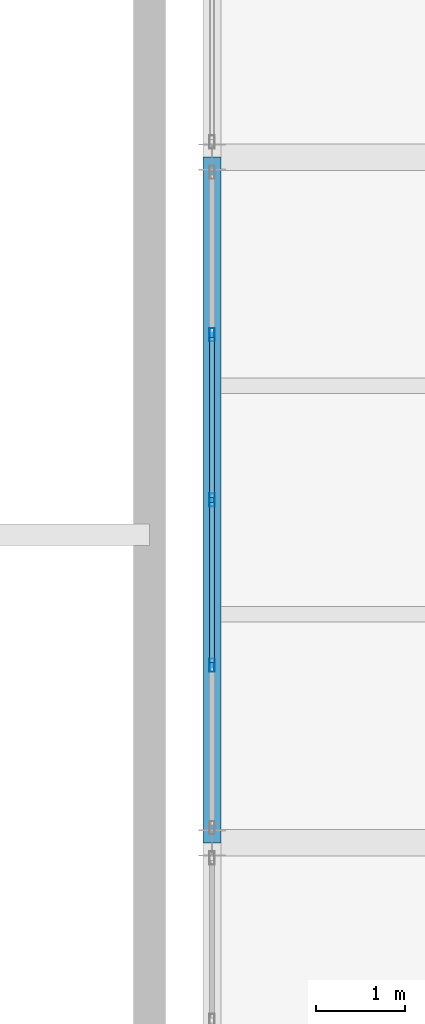
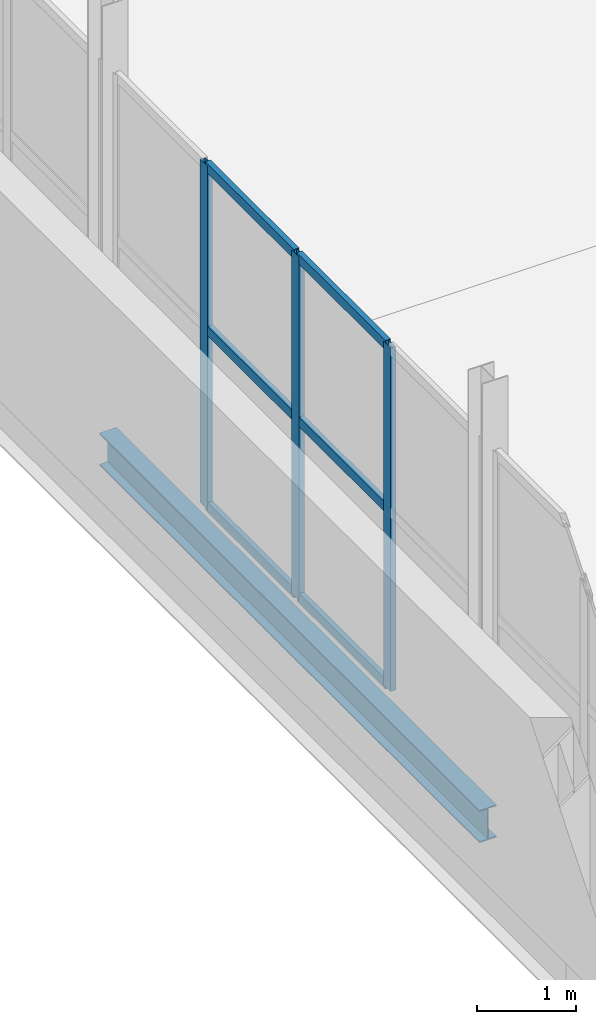
# One storey, part 124 of 218: 9 members, 1 beam, 1 element without a shape of its own.
"""IFC4 building model written with IfcOpenShell, lengths in metres."""

import ifcopenshell
import ifcopenshell.guid

model = None  # the IFC model being written
_history = None  # IfcOwnerHistory: only IFC2X3 demands one
_inside = {}  # id of a spatial element -> (the spatial element, [elements in it])
_under = {}  # id of a project, library or spatial element -> (it, [spatial elements below it])
_declared = {}  # id of a project -> (the project, [libraries it declares])
_typed = {}  # id of a type object -> (the type object, [elements of that type])
_made_of = {}  # id of a material, layer set ... -> (it, [elements and type objects made of it])


def new_model(schema):
    """Start an empty IFC model of exactly this schema.

    Asked for "IFC4X3", IfcOpenShell would pick the latest addendum, in which some entities
    have other attributes; the version numbers below select the first issue.
    IFC2X3 requires an IfcOwnerHistory on every rooted entity: one is made here for all.
    """
    global model, _history
    if schema == "IFC4X3":
        model = ifcopenshell.file(schema_version=(4, 3, 0, 0))
    else:
        model = ifcopenshell.file(schema=schema)
    _inside.clear()
    _under.clear()
    _declared.clear()
    _typed.clear()
    _made_of.clear()
    _history = None
    if model.schema == "IFC2X3":
        org = make("IfcOrganization", Name="unknown")
        user = make(
            "IfcPersonAndOrganization",
            ThePerson=make("IfcPerson", FamilyName="unknown"),
            TheOrganization=org,
        )
        app = make(
            "IfcApplication",
            ApplicationDeveloper=org,
            Version="unknown",
            ApplicationFullName="unknown",
            ApplicationIdentifier="unknown",
        )
        _history = make(
            "IfcOwnerHistory",
            OwningUser=user,
            OwningApplication=app,
            ChangeAction="ADDED",
            CreationDate=0,
        )
    return model


def make(cls, **values):
    """One entity of the class cls with the attributes given. An attribute that is None is left unset."""
    return model.create_entity(
        cls, **{name: value for name, value in values.items() if value is not None}
    )


def rooted(cls, **values):
    """An entity with a GlobalId (a new one), such as an element, a storey or a relation."""
    return make(cls, GlobalId=ifcopenshell.guid.new(), OwnerHistory=_history, **values)


def si_unit(unit_type, name, prefix=None):
    """IfcSIUnit, for example si_unit("LENGTHUNIT", "METRE", prefix="MILLI")."""
    return make("IfcSIUnit", UnitType=unit_type, Prefix=prefix, Name=name)


def assignment(units):
    """IfcUnitAssignment: the units of a project."""
    return None if units is None else make("IfcUnitAssignment", Units=units)


def point(xyz):
    """IfcCartesianPoint."""
    return None if xyz is None else make("IfcCartesianPoint", Coordinates=xyz)


def direction(xyz):
    """IfcDirection."""
    return None if xyz is None else make("IfcDirection", DirectionRatios=xyz)


def frame(location, z_axis=None, x_axis=None):
    """IfcAxis2Placement3D, a coordinate frame: its origin and axes. An axis left out is left unset."""
    return make(
        "IfcAxis2Placement3D",
        Location=point(location),
        Axis=direction(z_axis),
        RefDirection=direction(x_axis),
    )


def frame_2d(location, x_axis=None):
    """IfcAxis2Placement2D, a coordinate frame in the plane: its origin and x axis."""
    return make(
        "IfcAxis2Placement2D", Location=point(location), RefDirection=direction(x_axis)
    )


def origin():
    """The frame at (0, 0, 0) with its axes left unset."""
    return frame((0.0, 0.0, 0.0))


def origin_2d():
    """The frame at (0, 0) in the plane with its x axis left unset."""
    return frame_2d((0.0, 0.0))


def place(relative_to, where):
    """IfcLocalPlacement: puts the frame where relative to a parent placement (None: the world)."""
    return make(
        "IfcLocalPlacement", PlacementRelTo=relative_to, RelativePlacement=where
    )


def context(
    kind, dimensions, precision=None, world=None, true_north=None, identifier=None
):
    """IfcGeometricRepresentationContext, for example the 3D "Model" context."""
    return make(
        "IfcGeometricRepresentationContext",
        ContextIdentifier=identifier,
        ContextType=kind,
        CoordinateSpaceDimension=dimensions,
        Precision=precision,
        WorldCoordinateSystem=world,
        TrueNorth=true_north,
    )


def subcontext(parent, identifier, kind, view, scale=None):
    """IfcGeometricRepresentationSubContext, for example "Body" below "Model"."""
    return make(
        "IfcGeometricRepresentationSubContext",
        ContextIdentifier=identifier,
        ContextType=kind,
        ParentContext=parent,
        TargetScale=scale,
        TargetView=view,
    )


def project(units=None, contexts=None):
    """IfcProject with its units and contexts."""
    return rooted(
        "IfcProject",
        Name="project",
        RepresentationContexts=contexts,
        UnitsInContext=assignment(units),
    )


def spatial(cls, under=None, at=None, **own):
    """A site, building, storey or space (cls), placed at a placement, below another one or the project."""
    s = rooted(cls, ObjectPlacement=at, **own)
    if under is not None:
        _under.setdefault(under.id(), (under, []))[1].append(s)
    return s


def profile(cls, at=None, kind="AREA", **sizes):
    """A parametric profile (cls). Its sizes go by their IFC names, for example OverallWidth=200.0."""
    return make(cls, ProfileType=kind, Position=at, **sizes)


def hollow_rectangle(**sizes):
    """IfcRectangleHollowProfileDef."""
    return profile("IfcRectangleHollowProfileDef", **sizes)


def i_section(**sizes):
    """IfcIShapeProfileDef."""
    return profile("IfcIShapeProfileDef", **sizes)


def extrude(swept, where, along, depth):
    """IfcExtrudedAreaSolid: the profile swept, set in the frame where, extruded along a direction by depth."""
    return make(
        "IfcExtrudedAreaSolid",
        SweptArea=swept,
        Position=where,
        ExtrudedDirection=direction(along),
        Depth=depth,
    )


def shape(context_of_items, identifier, shape_type, items):
    """IfcShapeRepresentation: the items that make up one representation, for example the "Body"."""
    return make(
        "IfcShapeRepresentation",
        ContextOfItems=context_of_items,
        RepresentationIdentifier=identifier,
        RepresentationType=shape_type,
        Items=items,
    )


def material(Name=None, Category=None):
    """IfcMaterial."""
    return make("IfcMaterial", Name=Name, Category=Category)


def material_profile(
    of_material, cross_section, Name=None, Category=None, Priority=None
):
    """IfcMaterialProfile: a cross section and its material."""
    return make(
        "IfcMaterialProfile",
        Name=Name,
        Material=of_material,
        Profile=cross_section,
        Priority=Priority,
        Category=Category,
    )


def profile_set(profiles, Name=None, composite=None):
    """IfcMaterialProfileSet."""
    return make(
        "IfcMaterialProfileSet",
        Name=Name,
        MaterialProfiles=profiles,
        CompositeProfile=composite,
    )


def made_of(thing, what):
    """Note that an element or type object is made of a material, layer set ...; save() writes the relation."""
    if what is not None:
        _made_of.setdefault(what.id(), (what, []))[1].append(thing)
    return thing


def type_object(cls, material=None, **own):
    """A type object (cls), such as IfcWallType, which elements share."""
    return made_of(rooted(cls, **own), material)


def element(
    cls,
    number,
    at=None,
    inside=None,
    cuts=None,
    type_object=None,
    material=None,
    context=None,
    identifier="Body",
    shape_type=None,
    held_by="IfcProductDefinitionShape",
    body=None,
    shapes=None,
    **own,
):
    """One element of the class cls, such as IfcWall. Its Tag is "e" and its number.

    at: its placement. inside: the storey or other place that contains it. cuts: it is an
    opening in that element (IfcRelVoidsElement). A single representation is given by context,
    identifier, shape_type and body (its items); several are given by shapes. held_by: the class
    of the entity that holds the representations. save() writes the other relations.
    """
    e = rooted(cls, Tag="e%d" % number, ObjectPlacement=at, **own)
    if body is not None:
        shapes = [shape(context, identifier, shape_type, body)]
    if shapes is not None:
        e.Representation = make(held_by, Representations=shapes)
    if inside is not None:
        _inside.setdefault(inside.id(), (inside, []))[1].append(e)
    if cuts is not None:
        rooted(
            "IfcRelVoidsElement", RelatingBuildingElement=cuts, RelatedOpeningElement=e
        )
    if type_object is not None:
        _typed.setdefault(type_object.id(), (type_object, []))[1].append(e)
    return made_of(e, material)


def aggregate(whole, parts):
    """IfcRelAggregates: a whole, such as a stair, and the parts it consists of."""
    return rooted("IfcRelAggregates", RelatingObject=whole, RelatedObjects=parts)


def save(model, path):
    """Write the relations noted so far, then the file.

    IfcRelAggregates (storeys below a building ...), IfcRelContainedInSpatialStructure (elements
    in a storey), IfcRelDefinesByType, IfcRelAssociatesMaterial and IfcRelDeclares: one each for
    every whole, place, type object, material and project.
    """
    for whole, parts in _under.values():
        aggregate(whole, parts)
    for where, things in _inside.values():
        rooted(
            "IfcRelContainedInSpatialStructure",
            RelatedElements=things,
            RelatingStructure=where,
        )
    for kind, things in _typed.values():
        rooted("IfcRelDefinesByType", RelatedObjects=things, RelatingType=kind)
    for what, things in _made_of.values():
        rooted("IfcRelAssociatesMaterial", RelatedObjects=things, RelatingMaterial=what)
    for by, libraries in _declared.values():
        rooted("IfcRelDeclares", RelatingContext=by, RelatedDefinitions=libraries)
    model.write(path)


model = new_model("IFC4")

# Units and contexts
model_context = context("Model", 3, precision=1e-05, world=origin(), true_north=direction((0.0, 1.0)))
body_context = subcontext(model_context, "Body", "Model", "MODEL_VIEW")
ifc_project = project(units=[si_unit("LENGTHUNIT", "METRE"), si_unit("AREAUNIT", "SQUARE_METRE"), si_unit("VOLUMEUNIT", "CUBIC_METRE"), si_unit("PLANEANGLEUNIT", "RADIAN"), si_unit("MASSUNIT", "GRAM", prefix="KILO")], contexts=[model_context])

# Site, building, storey
site_placement = place(None, origin())
site = spatial("IfcSite", under=ifc_project, at=site_placement, CompositionType="ELEMENT")
building_placement = place(site_placement, origin())
building = spatial("IfcBuilding", under=site, at=building_placement, Name="Kazenagashi Tramway Depot", CompositionType="ELEMENT")
storey_placement = place(building_placement, frame((0.0, 0.0, 6.0)))
storey = spatial("IfcBuildingStorey", under=building, at=storey_placement, Name="L02", CompositionType="ELEMENT", Elevation=6.0)

# Curtain wall, members
ifc_material_1 = material(Name="Anodised Aluminium and Low-E Glazing", Category="aluminium")
curtain_wall_type = type_object("IfcCurtainWallType", Name="CW-31", PredefinedType="USERDEFINED", material=ifc_material_1)
curtain_wall_placement = place(storey_placement, origin())
curtain_wall = element("IfcCurtainWall", 1, at=curtain_wall_placement, inside=storey, type_object=curtain_wall_type, Name="Industrial Glazed Screen CW-31 CW-0167", ObjectType="GLAZED SCREEN", PredefinedType="USERDEFINED")
ifc_material_2 = material(Name="Anodised Aluminium", Category="aluminium")
ifc_material_profile_1 = material_profile(ifc_material_2, hollow_rectangle(XDim=0.06, YDim=0.15, WallThickness=0.004, at=origin_2d()), Name="RHS-150x60x4")
ifc_profile_set_1 = profile_set([ifc_material_profile_1], Name="Anodised Aluminium")
member_type_1 = type_object("IfcMemberType", Name="ML-01", PredefinedType="MULLION", material=ifc_profile_set_1)
member_1_placement = place(storey_placement, frame((146.3, 40.495, 0.0), z_axis=(0.0, 0.0, 1.0), x_axis=(-1.0, 0.0, 0.0)))
member_1 = element("IfcMember", 2, at=member_1_placement, type_object=member_type_1, Name="CW-31 mullion 2", PredefinedType="MULLION", context=body_context, shape_type="SweptSolid", body=[
    extrude(hollow_rectangle(XDim=0.06, YDim=0.15, WallThickness=0.004, at=origin_2d()), origin(), (0.0, 0.0, 1.0), 4.25),
])
member_2_placement = place(storey_placement, frame((146.3, 42.35, 0.0), z_axis=(0.0, 0.0, 1.0), x_axis=(-1.0, 0.0, 0.0)))
member_2 = element("IfcMember", 3, at=member_2_placement, type_object=member_type_1, Name="CW-31 mullion 3", PredefinedType="MULLION", context=body_context, shape_type="SweptSolid", body=[
    extrude(hollow_rectangle(XDim=0.06, YDim=0.15, WallThickness=0.004, at=origin_2d()), origin(), (0.0, 0.0, 1.0), 4.25),
])
member_3_placement = place(storey_placement, frame((146.3, 44.205, 0.0), z_axis=(0.0, 0.0, 1.0), x_axis=(-1.0, 0.0, 0.0)))
member_3 = element("IfcMember", 4, at=member_3_placement, type_object=member_type_1, Name="CW-31 mullion 4", PredefinedType="MULLION", context=body_context, shape_type="SweptSolid", body=[
    extrude(hollow_rectangle(XDim=0.06, YDim=0.15, WallThickness=0.004, at=origin_2d()), origin(), (0.0, 0.0, 1.0), 4.25),
])

# Beam
ifc_material_3 = material(Name="Steel SN490B", Category="steel")
ifc_material_profile_2 = material_profile(ifc_material_3, i_section(OverallWidth=0.2, OverallDepth=0.4, WebThickness=0.008, FlangeThickness=0.013, at=origin_2d()), Name="H-400x200x8x13")
ifc_profile_set_2 = profile_set([ifc_material_profile_2], Name="Steel SN490B")
beam_type = type_object("IfcBeamType", Name="SP-04", PredefinedType="SPANDREL", material=ifc_profile_set_2)
beam_placement = place(storey_placement, frame((146.3, 38.5, -0.48), z_axis=(0.0, 1.0, 0.0), x_axis=(-1.0, 0.0, 0.0)))
element("IfcBeam", 5, at=beam_placement, inside=storey, type_object=beam_type, Name="Beam SP-04 BM-1244", PredefinedType="SPANDREL", context=body_context, shape_type="SweptSolid", body=[
    extrude(i_section(OverallWidth=0.2, OverallDepth=0.4, WebThickness=0.008, FlangeThickness=0.013, at=origin_2d()), origin(), (0.0, 0.0, 1.0), 7.7),
])

# Member
ifc_material_profile_3 = material_profile(ifc_material_2, hollow_rectangle(XDim=0.06, YDim=0.12, WallThickness=0.004, at=origin_2d()), Name="RHS-120x60x4")
ifc_profile_set_3 = profile_set([ifc_material_profile_3], Name="Anodised Aluminium")
member_type_2 = type_object("IfcMemberType", Name="TR-01", PredefinedType="USERDEFINED", material=ifc_profile_set_3)
member_4_placement = place(storey_placement, frame((146.3, 40.525, 0.03), z_axis=(0.0, 1.0, 0.0), x_axis=(-1.0, 0.0, 0.0)))
member_4 = element("IfcMember", 6, at=member_4_placement, type_object=member_type_2, Name="CW-31 transom 2.1", ObjectType="TRANSOM", PredefinedType="USERDEFINED", context=body_context, shape_type="SweptSolid", body=[
    extrude(hollow_rectangle(XDim=0.06, YDim=0.12, WallThickness=0.004, at=origin_2d()), origin(), (0.0, 0.0, 1.0), 1.795),
])

member_5_placement = place(storey_placement, frame((146.3, 40.525, 2.21), z_axis=(0.0, 1.0, 0.0), x_axis=(-1.0, 0.0, 0.0)))
member_5 = element("IfcMember", 7, at=member_5_placement, type_object=member_type_2, Name="CW-31 transom 2.2", ObjectType="TRANSOM", PredefinedType="USERDEFINED", context=body_context, shape_type="SweptSolid", body=[
    extrude(hollow_rectangle(XDim=0.06, YDim=0.12, WallThickness=0.004, at=origin_2d()), origin(), (0.0, 0.0, 1.0), 1.795),
])

member_6_placement = place(storey_placement, frame((146.3, 40.525, 4.22), z_axis=(0.0, 1.0, 0.0), x_axis=(-1.0, 0.0, 0.0)))
member_6 = element("IfcMember", 8, at=member_6_placement, type_object=member_type_2, Name="CW-31 transom 2.3", ObjectType="TRANSOM", PredefinedType="USERDEFINED", context=body_context, shape_type="SweptSolid", body=[
    extrude(hollow_rectangle(XDim=0.06, YDim=0.12, WallThickness=0.004, at=origin_2d()), origin(), (0.0, 0.0, 1.0), 1.795),
])

member_7_placement = place(storey_placement, frame((146.3, 42.38, 0.03), z_axis=(0.0, 1.0, 0.0), x_axis=(-1.0, 0.0, 0.0)))
member_7 = element("IfcMember", 9, at=member_7_placement, type_object=member_type_2, Name="CW-31 transom 3.1", ObjectType="TRANSOM", PredefinedType="USERDEFINED", context=body_context, shape_type="SweptSolid", body=[
    extrude(hollow_rectangle(XDim=0.06, YDim=0.12, WallThickness=0.004, at=origin_2d()), origin(), (0.0, 0.0, 1.0), 1.795),
])

member_8_placement = place(storey_placement, frame((146.3, 42.38, 2.21), z_axis=(0.0, 1.0, 0.0), x_axis=(-1.0, 0.0, 0.0)))
member_8 = element("IfcMember", 10, at=member_8_placement, type_object=member_type_2, Name="CW-31 transom 3.2", ObjectType="TRANSOM", PredefinedType="USERDEFINED", context=body_context, shape_type="SweptSolid", body=[
    extrude(hollow_rectangle(XDim=0.06, YDim=0.12, WallThickness=0.004, at=origin_2d()), origin(), (0.0, 0.0, 1.0), 1.795),
])

member_9_placement = place(storey_placement, frame((146.3, 42.38, 4.22), z_axis=(0.0, 1.0, 0.0), x_axis=(-1.0, 0.0, 0.0)))
member_9 = element("IfcMember", 11, at=member_9_placement, type_object=member_type_2, Name="CW-31 transom 3.3", ObjectType="TRANSOM", PredefinedType="USERDEFINED", context=body_context, shape_type="SweptSolid", body=[
    extrude(hollow_rectangle(XDim=0.06, YDim=0.12, WallThickness=0.004, at=origin_2d()), origin(), (0.0, 0.0, 1.0), 1.795),
])

aggregate(curtain_wall, [member_1, member_2, member_3, member_4, member_5, member_6, member_7, member_8, member_9])

save(model, "model.ifc")
